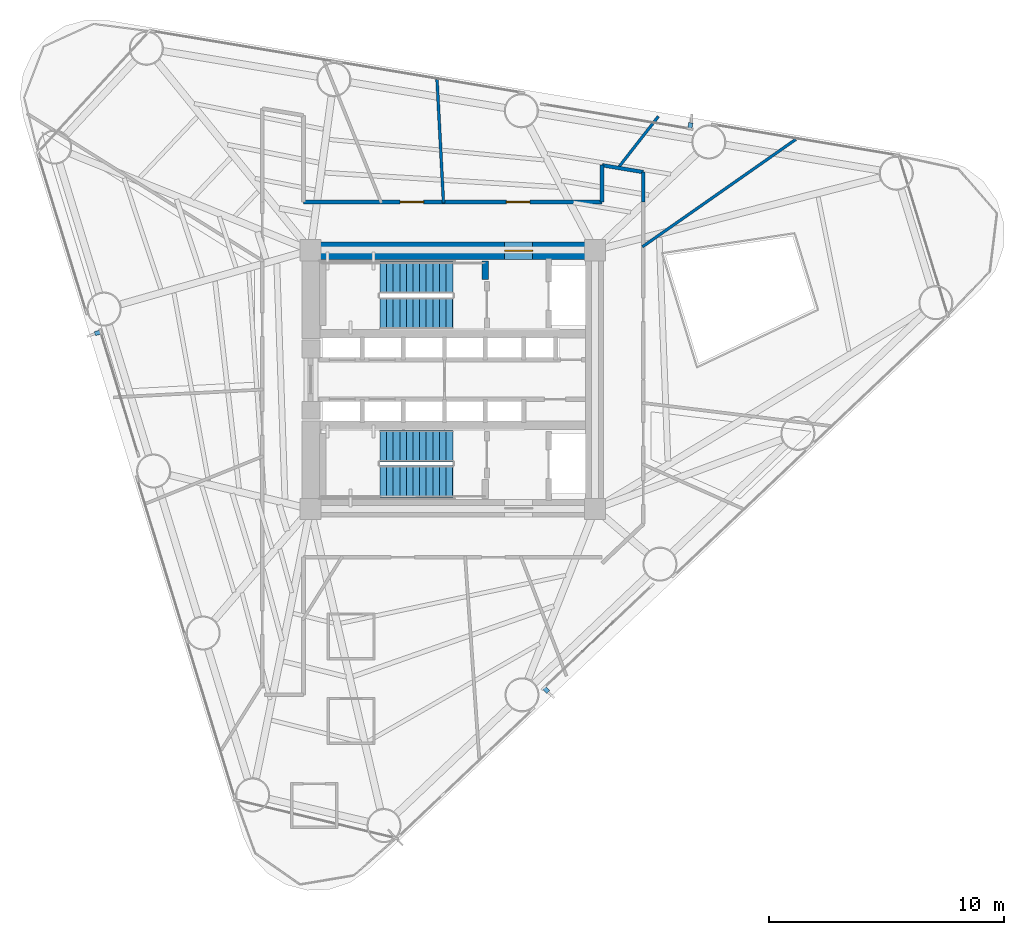
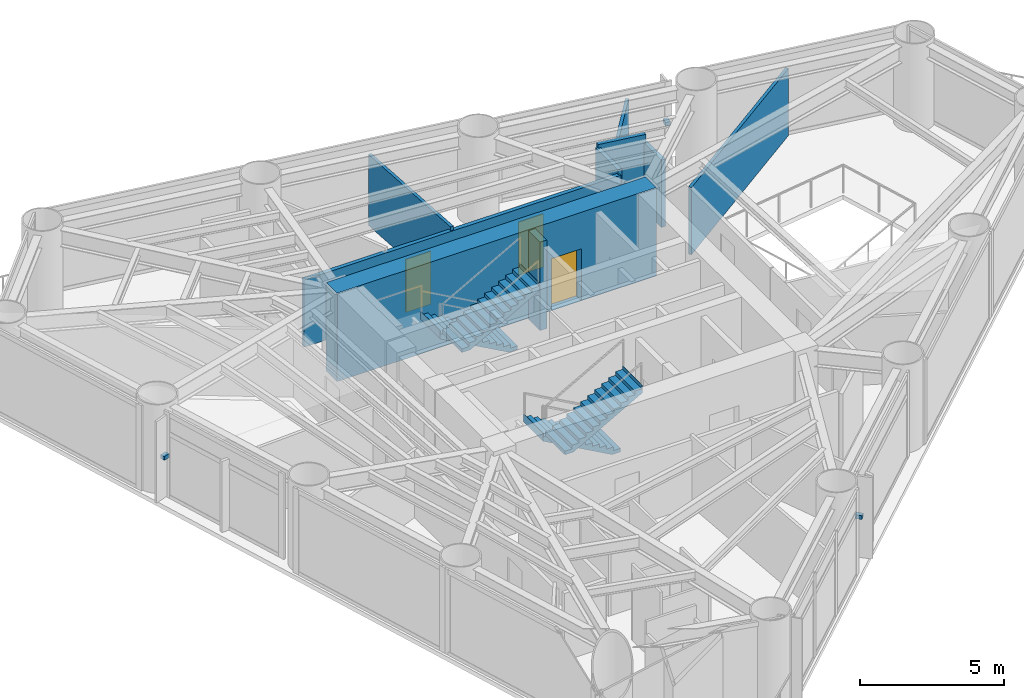
# One storey, part 7 of 10: 9 walls, 4 stair flights, 3 discrete accessories, 3 doors, 3 openings, 2 elements without a shape of their own.
"""IFC4 building model written with IfcOpenShell, lengths in metres."""

import ifcopenshell
import ifcopenshell.guid

model = None  # the IFC model being written
_history = None  # IfcOwnerHistory: only IFC2X3 demands one
_inside = {}  # id of a spatial element -> (the spatial element, [elements in it])
_under = {}  # id of a project, library or spatial element -> (it, [spatial elements below it])
_declared = {}  # id of a project -> (the project, [libraries it declares])
_typed = {}  # id of a type object -> (the type object, [elements of that type])
_made_of = {}  # id of a material, layer set ... -> (it, [elements and type objects made of it])


def new_model(schema):
    """Start an empty IFC model of exactly this schema.

    Asked for "IFC4X3", IfcOpenShell would pick the latest addendum, in which some entities
    have other attributes; the version numbers below select the first issue.
    IFC2X3 requires an IfcOwnerHistory on every rooted entity: one is made here for all.
    """
    global model, _history
    if schema == "IFC4X3":
        model = ifcopenshell.file(schema_version=(4, 3, 0, 0))
    else:
        model = ifcopenshell.file(schema=schema)
    _inside.clear()
    _under.clear()
    _declared.clear()
    _typed.clear()
    _made_of.clear()
    _history = None
    if model.schema == "IFC2X3":
        org = make("IfcOrganization", Name="unknown")
        user = make(
            "IfcPersonAndOrganization",
            ThePerson=make("IfcPerson", FamilyName="unknown"),
            TheOrganization=org,
        )
        app = make(
            "IfcApplication",
            ApplicationDeveloper=org,
            Version="unknown",
            ApplicationFullName="unknown",
            ApplicationIdentifier="unknown",
        )
        _history = make(
            "IfcOwnerHistory",
            OwningUser=user,
            OwningApplication=app,
            ChangeAction="ADDED",
            CreationDate=0,
        )
    return model


def make(cls, **values):
    """One entity of the class cls with the attributes given. An attribute that is None is left unset."""
    return model.create_entity(
        cls, **{name: value for name, value in values.items() if value is not None}
    )


def rooted(cls, **values):
    """An entity with a GlobalId (a new one), such as an element, a storey or a relation."""
    return make(cls, GlobalId=ifcopenshell.guid.new(), OwnerHistory=_history, **values)


def si_unit(unit_type, name, prefix=None):
    """IfcSIUnit, for example si_unit("LENGTHUNIT", "METRE", prefix="MILLI")."""
    return make("IfcSIUnit", UnitType=unit_type, Prefix=prefix, Name=name)


def assignment(units):
    """IfcUnitAssignment: the units of a project."""
    return None if units is None else make("IfcUnitAssignment", Units=units)


def point(xyz):
    """IfcCartesianPoint."""
    return None if xyz is None else make("IfcCartesianPoint", Coordinates=xyz)


def direction(xyz):
    """IfcDirection."""
    return None if xyz is None else make("IfcDirection", DirectionRatios=xyz)


def frame(location, z_axis=None, x_axis=None):
    """IfcAxis2Placement3D, a coordinate frame: its origin and axes. An axis left out is left unset."""
    return make(
        "IfcAxis2Placement3D",
        Location=point(location),
        Axis=direction(z_axis),
        RefDirection=direction(x_axis),
    )


def frame_2d(location, x_axis=None):
    """IfcAxis2Placement2D, a coordinate frame in the plane: its origin and x axis."""
    return make(
        "IfcAxis2Placement2D", Location=point(location), RefDirection=direction(x_axis)
    )


def origin():
    """The frame at (0, 0, 0) with its axes left unset."""
    return frame((0.0, 0.0, 0.0))


def origin_2d():
    """The frame at (0, 0) in the plane with its x axis left unset."""
    return frame_2d((0.0, 0.0))


def place(relative_to, where):
    """IfcLocalPlacement: puts the frame where relative to a parent placement (None: the world)."""
    return make(
        "IfcLocalPlacement", PlacementRelTo=relative_to, RelativePlacement=where
    )


def context(
    kind, dimensions, precision=None, world=None, true_north=None, identifier=None
):
    """IfcGeometricRepresentationContext, for example the 3D "Model" context."""
    return make(
        "IfcGeometricRepresentationContext",
        ContextIdentifier=identifier,
        ContextType=kind,
        CoordinateSpaceDimension=dimensions,
        Precision=precision,
        WorldCoordinateSystem=world,
        TrueNorth=true_north,
    )


def subcontext(parent, identifier, kind, view, scale=None):
    """IfcGeometricRepresentationSubContext, for example "Body" below "Model"."""
    return make(
        "IfcGeometricRepresentationSubContext",
        ContextIdentifier=identifier,
        ContextType=kind,
        ParentContext=parent,
        TargetScale=scale,
        TargetView=view,
    )


def project(units=None, contexts=None):
    """IfcProject with its units and contexts."""
    return rooted(
        "IfcProject",
        Name="project",
        RepresentationContexts=contexts,
        UnitsInContext=assignment(units),
    )


def spatial(cls, under=None, at=None, **own):
    """A site, building, storey or space (cls), placed at a placement, below another one or the project."""
    s = rooted(cls, ObjectPlacement=at, **own)
    if under is not None:
        _under.setdefault(under.id(), (under, []))[1].append(s)
    return s


def polyline(points):
    """IfcPolyline through the points."""
    return make("IfcPolyline", Points=[point(p) for p in points])


def profile(cls, at=None, kind="AREA", **sizes):
    """A parametric profile (cls). Its sizes go by their IFC names, for example OverallWidth=200.0."""
    return make(cls, ProfileType=kind, Position=at, **sizes)


def rectangle(**sizes):
    """IfcRectangleProfileDef."""
    return profile("IfcRectangleProfileDef", **sizes)


def outline(outer, holes=None, kind="AREA"):
    """IfcArbitraryClosedProfileDef: a profile drawn as a closed curve; with holes, ...WithVoids."""
    if holes is None:
        return make("IfcArbitraryClosedProfileDef", ProfileType=kind, OuterCurve=outer)
    return make(
        "IfcArbitraryProfileDefWithVoids",
        ProfileType=kind,
        OuterCurve=outer,
        InnerCurves=holes,
    )


def extrude(swept, where, along, depth):
    """IfcExtrudedAreaSolid: the profile swept, set in the frame where, extruded along a direction by depth."""
    return make(
        "IfcExtrudedAreaSolid",
        SweptArea=swept,
        Position=where,
        ExtrudedDirection=direction(along),
        Depth=depth,
    )


def shape(context_of_items, identifier, shape_type, items):
    """IfcShapeRepresentation: the items that make up one representation, for example the "Body"."""
    return make(
        "IfcShapeRepresentation",
        ContextOfItems=context_of_items,
        RepresentationIdentifier=identifier,
        RepresentationType=shape_type,
        Items=items,
    )


def source(mapping_origin, context_of_items, identifier, shape_type, items):
    """IfcRepresentationMap: a shape defined once, which mapped items show again and again."""
    return make(
        "IfcRepresentationMap",
        MappingOrigin=mapping_origin,
        MappedRepresentation=shape(context_of_items, identifier, shape_type, items),
    )


def transform(
    local_origin,
    x_axis=None,
    y_axis=None,
    z_axis=None,
    scale=None,
    scale2=None,
    scale3=None,
    uniform=True,
):
    """IfcCartesianTransformationOperator3D, or its non-uniform kind. x_axis, y_axis, z_axis: its Axis1, 2, 3."""
    if uniform:
        return make(
            "IfcCartesianTransformationOperator3D",
            Axis1=direction(x_axis),
            Axis2=direction(y_axis),
            LocalOrigin=point(local_origin),
            Scale=scale,
            Axis3=direction(z_axis),
        )
    return make(
        "IfcCartesianTransformationOperator3DnonUniform",
        Axis1=direction(x_axis),
        Axis2=direction(y_axis),
        LocalOrigin=point(local_origin),
        Scale=scale,
        Axis3=direction(z_axis),
        Scale2=scale2,
        Scale3=scale3,
    )


def mapped(mapping_source, mapping_target):
    """IfcMappedItem: shows the shape of a source again, moved by a transform."""
    return make(
        "IfcMappedItem", MappingSource=mapping_source, MappingTarget=mapping_target
    )


def material(Name=None, Category=None):
    """IfcMaterial."""
    return make("IfcMaterial", Name=Name, Category=Category)


def layer(
    of_material, thickness, ventilated=None, Name=None, Category=None, Priority=None
):
    """IfcMaterialLayer: one layer of a wall or slab, of a material (None: an air gap)."""
    return make(
        "IfcMaterialLayer",
        Material=of_material,
        LayerThickness=thickness,
        IsVentilated=ventilated,
        Name=Name,
        Category=Category,
        Priority=Priority,
    )


def layer_set(layers, Name=None):
    """IfcMaterialLayerSet."""
    return make("IfcMaterialLayerSet", MaterialLayers=layers, LayerSetName=Name)


def made_of(thing, what):
    """Note that an element or type object is made of a material, layer set ...; save() writes the relation."""
    if what is not None:
        _made_of.setdefault(what.id(), (what, []))[1].append(thing)
    return thing


def type_object(cls, material=None, **own):
    """A type object (cls), such as IfcWallType, which elements share."""
    return made_of(rooted(cls, **own), material)


def element(
    cls,
    number,
    at=None,
    inside=None,
    cuts=None,
    type_object=None,
    material=None,
    context=None,
    identifier="Body",
    shape_type=None,
    held_by="IfcProductDefinitionShape",
    body=None,
    shapes=None,
    **own,
):
    """One element of the class cls, such as IfcWall. Its Tag is "e" and its number.

    at: its placement. inside: the storey or other place that contains it. cuts: it is an
    opening in that element (IfcRelVoidsElement). A single representation is given by context,
    identifier, shape_type and body (its items); several are given by shapes. held_by: the class
    of the entity that holds the representations. save() writes the other relations.
    """
    e = rooted(cls, Tag="e%d" % number, ObjectPlacement=at, **own)
    if body is not None:
        shapes = [shape(context, identifier, shape_type, body)]
    if shapes is not None:
        e.Representation = make(held_by, Representations=shapes)
    if inside is not None:
        _inside.setdefault(inside.id(), (inside, []))[1].append(e)
    if cuts is not None:
        rooted(
            "IfcRelVoidsElement", RelatingBuildingElement=cuts, RelatedOpeningElement=e
        )
    if type_object is not None:
        _typed.setdefault(type_object.id(), (type_object, []))[1].append(e)
    return made_of(e, material)


def fill(opening, filler):
    """IfcRelFillsElement: the door or window that sits in an opening."""
    return rooted(
        "IfcRelFillsElement",
        RelatingOpeningElement=opening,
        RelatedBuildingElement=filler,
    )


def aggregate(whole, parts):
    """IfcRelAggregates: a whole, such as a stair, and the parts it consists of."""
    return rooted("IfcRelAggregates", RelatingObject=whole, RelatedObjects=parts)


def save(model, path):
    """Write the relations noted so far, then the file.

    IfcRelAggregates (storeys below a building ...), IfcRelContainedInSpatialStructure (elements
    in a storey), IfcRelDefinesByType, IfcRelAssociatesMaterial and IfcRelDeclares: one each for
    every whole, place, type object, material and project.
    """
    for whole, parts in _under.values():
        aggregate(whole, parts)
    for where, things in _inside.values():
        rooted(
            "IfcRelContainedInSpatialStructure",
            RelatedElements=things,
            RelatingStructure=where,
        )
    for kind, things in _typed.values():
        rooted("IfcRelDefinesByType", RelatedObjects=things, RelatingType=kind)
    for what, things in _made_of.values():
        rooted("IfcRelAssociatesMaterial", RelatedObjects=things, RelatingMaterial=what)
    for by, libraries in _declared.values():
        rooted("IfcRelDeclares", RelatingContext=by, RelatedDefinitions=libraries)
    model.write(path)


model = new_model("IFC4")

# Units and contexts
model_context = context("Model", 3, precision=1e-05, world=origin(), true_north=direction((0.0, 1.0)))
body_context = subcontext(model_context, "Body", "Model", "MODEL_VIEW")
ifc_project = project(units=[si_unit("LENGTHUNIT", "METRE"), si_unit("AREAUNIT", "SQUARE_METRE"), si_unit("VOLUMEUNIT", "CUBIC_METRE"), si_unit("PLANEANGLEUNIT", "RADIAN"), si_unit("MASSUNIT", "GRAM", prefix="KILO")], contexts=[model_context])

# Site, building, storey
site_placement = place(None, origin())
site = spatial("IfcSite", under=ifc_project, at=site_placement, CompositionType="ELEMENT")
building_placement = place(site_placement, origin())
building = spatial("IfcBuilding", under=site, at=building_placement, Name="Yunling Apex Tower", CompositionType="ELEMENT")
storey_placement = place(building_placement, frame((0.0, 0.0, 101.14990234375)))
storey = spatial("IfcBuildingStorey", under=building, at=storey_placement, Name="L25", CompositionType="ELEMENT", Elevation=101.14990234375)

# Wall, opening, door
ifc_material_1 = material(Name="Concrete C60", Category="concrete")
ifc_layer_1 = layer(ifc_material_1, 0.75)
ifc_layer_set_1 = layer_set([ifc_layer_1], Name="Concrete C60")
wall_type_1 = type_object("IfcWallType", Name="WL-COR-1", PredefinedType="SHEAR", material=ifc_layer_set_1)
wall_1_placement = place(storey_placement, frame((-6.39990234375, 5.47509765625, 0.0), z_axis=(0.0, 0.0, 1.0), x_axis=(1.0, 0.0, 0.0)))
wall_1 = element("IfcWall", 1, at=wall_1_placement, inside=storey, type_object=wall_type_1, Name="L25 North Core Shear Wall", PredefinedType="SHEAR", context=body_context, shape_type="SweptSolid", body=[
    extrude(rectangle(XDim=12.7998046875, YDim=0.75, at=frame_2d((6.39990234375, 0.0))), origin(), (0.0, 0.0, 1.0), 3.75),
])
opening_1_placement = place(wall_1_placement, frame((8.60009765625, 0.0, 0.0)))
opening_1 = element("IfcOpeningElement", 2, at=opening_1_placement, cuts=wall_1, Name="Opening DR-FFL-1", PredefinedType="OPENING", context=body_context, shape_type="SweptSolid", body=[
    extrude(rectangle(XDim=1.199951171875, YDim=2.199951171875, at=frame_2d((0.60009765625, 1.10009765625))), frame((0.0, 0.385009765625, 0.0), z_axis=(0.0, -1.0, 0.0), x_axis=(1.0, 0.0, 0.0)), (0.0, 0.0, 1.0), 0.77001953125),
])
ifc_material_2 = material(Name="Steel Q355B", Category="steel")
door_type_1 = type_object("IfcDoorType", Name="DR-FFL-1", OperationType="NOTDEFINED", PredefinedType="DOOR", material=ifc_material_2)
door_1_placement = place(opening_1_placement, origin())
door_1 = element("IfcDoor", 3, at=door_1_placement, inside=storey, type_object=door_type_1, Name="L25 North Firefighting Lobby Door", OperationType="SINGLE_SWING_LEFT", OverallHeight=2.199951171875, OverallWidth=1.199951171875, PredefinedType="DOOR", context=body_context, shape_type="SweptSolid", body=[
    extrude(rectangle(XDim=1.199951171875, YDim=2.199951171875, at=frame_2d((0.60009765625, 1.10009765625))), frame((0.0, 0.02490234375, 0.0), z_axis=(0.0, -1.0, 0.0), x_axis=(1.0, 0.0, 0.0)), (0.0, 0.0, 1.0), 0.050048828125),
])
fill(opening_1, door_1)

# Wall
ifc_material_3 = material(Name="Concrete C40", Category="concrete")
ifc_layer_2 = layer(ifc_material_3, 0.280029296875)
ifc_layer_set_2 = layer_set([ifc_layer_2], Name="Concrete C40")
wall_type_2 = type_object("IfcWallType", Name="WL-COR-8", PredefinedType="SHEAR", material=ifc_layer_set_2)
wall_2_placement = place(storey_placement, frame((1.3798828125, 4.25, 0.0), z_axis=(0.0, 0.0, 1.0), x_axis=(0.0, 1.0, 0.0)))
element("IfcWall", 4, at=wall_2_placement, inside=storey, type_object=wall_type_2, Name="L25 ST-1 East Landing Bearing Pier", PredefinedType="SHEAR", context=body_context, shape_type="SweptSolid", body=[
    extrude(rectangle(XDim=0.800048828125, YDim=0.280029296875, at=frame_2d((0.39990234375, 0.0))), origin(), (0.0, 0.0, 1.0), 3.75),
])

# Wall, openings, doors
ifc_material_4 = material(Name="Gypsum board acoustic partition")
ifc_layer_3 = layer(ifc_material_4, 0.159912109375)
ifc_layer_set_3 = layer_set([ifc_layer_3], Name="Gypsum board acoustic partition")
wall_type_3 = type_object("IfcWallType", Name="WL-PRT-1", PredefinedType="PARTITIONING", material=ifc_layer_set_3)
wall_3_placement = place(storey_placement, frame((-6.35009765625, 7.550048828125, 0.0), z_axis=(0.0, 0.0, 1.0), x_axis=(1.0, 0.0, 0.0)))
wall_3 = element("IfcWall", 5, at=wall_3_placement, inside=storey, type_object=wall_type_3, Name="WL-CORR-L25-07", PredefinedType="PARTITIONING", context=body_context, shape_type="SweptSolid", body=[
    extrude(rectangle(XDim=12.7001953125, YDim=0.159912109375, at=frame_2d((6.35009765625, 0.0))), origin(), (0.0, 0.0, 1.0), 2.85009765625),
])
opening_2_placement = place(wall_3_placement, frame((4.111083984375, 0.0, 0.0)))
opening_2 = element("IfcOpeningElement", 6, at=opening_2_placement, cuts=wall_3, Name="Opening DR-OFF-1", PredefinedType="OPENING", context=body_context, shape_type="SweptSolid", body=[
    extrude(rectangle(XDim=1.0, YDim=2.25, at=frame_2d((0.5, 1.125))), frame((0.0, 0.08984375, 0.0), z_axis=(0.0, -1.0, 0.0), x_axis=(1.0, 0.0, 0.0)), (0.0, 0.0, 1.0), 0.179931640625),
])
opening_3_placement = place(wall_3_placement, frame((8.63232421875, 0.0, 0.0)))
opening_3 = element("IfcOpeningElement", 7, at=opening_3_placement, cuts=wall_3, Name="Opening DR-OFF-1", PredefinedType="OPENING", context=body_context, shape_type="SweptSolid", body=[
    extrude(rectangle(XDim=1.0, YDim=2.25, at=frame_2d((0.5, 1.125))), frame((0.0, 0.08984375, 0.0), z_axis=(0.0, -1.0, 0.0), x_axis=(1.0, 0.0, 0.0)), (0.0, 0.0, 1.0), 0.179931640625),
])
ifc_material_5 = material(Name="Bronze anodised aluminium", Category="aluminium")
door_type_2 = type_object("IfcDoorType", Name="DR-OFF-1", OperationType="NOTDEFINED", PredefinedType="DOOR", material=ifc_material_5)
door_2_placement = place(opening_2_placement, origin())
door_2 = element("IfcDoor", 8, at=door_2_placement, inside=storey, type_object=door_type_2, Name="L25 Business Reading Lounge Door", OperationType="SINGLE_SWING_LEFT", OverallHeight=2.25, OverallWidth=1.0, PredefinedType="DOOR", context=body_context, shape_type="SweptSolid", body=[
    extrude(rectangle(XDim=1.0, YDim=2.25, at=frame_2d((0.5, 1.125))), frame((0.0, 0.02490234375, 0.0), z_axis=(0.0, -1.0, 0.0), x_axis=(1.0, 0.0, 0.0)), (0.0, 0.0, 1.0), 0.050048828125),
])
fill(opening_2, door_2)
door_3_placement = place(opening_3_placement, origin())
door_3 = element("IfcDoor", 9, at=door_3_placement, inside=storey, type_object=door_type_2, Name="L25 Business Reading Lounge Door", OperationType="SINGLE_SWING_RIGHT", OverallHeight=2.25, OverallWidth=1.0, PredefinedType="DOOR", context=body_context, shape_type="SweptSolid", body=[
    extrude(rectangle(XDim=1.0, YDim=2.25, at=frame_2d((0.5, 1.125))), frame((0.0, 0.02490234375, 0.0), z_axis=(0.0, -1.0, 0.0), x_axis=(1.0, 0.0, 0.0)), (0.0, 0.0, 1.0), 0.050048828125),
])
fill(opening_3, door_3)

# Walls
wall_4_placement = place(storey_placement, frame((6.35009765625, 7.550048828125, 0.0), z_axis=(0.0, 0.0, 1.0), x_axis=(0.0, 1.0, 0.0)))
element("IfcWall", 10, at=wall_4_placement, inside=storey, type_object=wall_type_3, Name="WL-CORR-L25-08", PredefinedType="PARTITIONING", context=body_context, shape_type="SweptSolid", body=[
    extrude(rectangle(XDim=1.56298828125, YDim=0.159912109375, at=frame_2d((0.781494140625, 0.0))), origin(), (0.0, 0.0, 1.0), 3.050048828125),
])
wall_5_placement = place(storey_placement, frame((6.35009765625, 9.113037109375, 0.0), z_axis=(0.0, 0.0, 1.0), x_axis=(0.986386484459, -0.164443617317, 0.0)))
element("IfcWall", 11, at=wall_5_placement, inside=storey, type_object=wall_type_3, Name="WL-CORR-L25-09", PredefinedType="PARTITIONING", context=body_context, shape_type="SweptSolid", body=[
    extrude(rectangle(XDim=1.774169921875, YDim=0.159912109375, at=frame_2d((0.88720703125, 0.0))), origin(), (0.0, 0.0, 1.0), 3.2001953125),
])
wall_6_placement = place(storey_placement, frame((8.10009765625, 8.8212890625, 0.0), z_axis=(0.0, 0.0, 1.0), x_axis=(0.0, -1.0, 0.0)))
element("IfcWall", 12, at=wall_6_placement, inside=storey, type_object=wall_type_3, Name="WL-CORR-L25-10", PredefinedType="PARTITIONING", context=body_context, shape_type="SweptSolid", body=[
    extrude(rectangle(XDim=1.271240234375, YDim=0.159912109375, at=frame_2d((0.6357421875, 0.0))), origin(), (0.0, 0.0, 1.0), 2.85009765625),
])
ifc_layer_4 = layer(ifc_material_4, 0.1201171875)
ifc_layer_set_4 = layer_set([ifc_layer_4], Name="Gypsum board acoustic partition")
wall_type_4 = type_object("IfcWallType", Name="WL-PRT-3", PredefinedType="PARTITIONING", material=ifc_layer_set_4)
wall_7_placement = place(storey_placement, frame((8.06005859375, 5.643798828125, 0.0), z_axis=(0.0, 0.0, 1.0), x_axis=(0.819162822725, 0.573561042841, 0.0)))
element("IfcWall", 13, at=wall_7_placement, inside=storey, type_object=wall_type_4, Name="WL-RAD-L25-09", PredefinedType="PARTITIONING", context=body_context, shape_type="SweptSolid", body=[
    extrude(rectangle(XDim=7.96826171875, YDim=0.1201171875, at=frame_2d((3.984130859375, 0.0))), origin(), (0.0, 0.0, 1.0), 2.85009765625),
])
wall_8_placement = place(storey_placement, frame((7.003173828125, 8.963623046875, 0.0), z_axis=(0.0, 0.0, 1.0), x_axis=(0.615657467661, 0.788013884721, 0.0)))
element("IfcWall", 14, at=wall_8_placement, inside=storey, type_object=wall_type_4, Name="WL-RAD-L25-10", PredefinedType="PARTITIONING", context=body_context, shape_type="SweptSolid", body=[
    extrude(rectangle(XDim=2.822998046875, YDim=0.1201171875, at=frame_2d((1.41162109375, 0.0))), origin(), (0.0, 0.0, 1.0), 3.010009765625),
])
wall_9_placement = place(storey_placement, frame((-0.3935546875, 7.510009765625, 0.0), z_axis=(0.0, 0.0, 1.0), x_axis=(-0.052329543677, 0.998629870802, 0.0)))
element("IfcWall", 15, at=wall_9_placement, inside=storey, type_object=wall_type_4, Name="WL-RAD-L25-11", PredefinedType="PARTITIONING", context=body_context, shape_type="SweptSolid", body=[
    extrude(rectangle(XDim=5.253173828125, YDim=0.1201171875, at=frame_2d((2.62646484375, 0.0))), origin(), (0.0, 0.0, 1.0), 3.010009765625),
])

# Stair, stair flights
stair_type = type_object("IfcStairType", Name="ST-TWR-1", PredefinedType="HALF_TURN_STAIR", material=ifc_material_3)
stair_1_placement = place(storey_placement, origin())
stair_1 = element("IfcStair", 16, at=stair_1_placement, inside=storey, type_object=stair_type, Name="L25 North Core Smokeproof Exit Stair ST-1", PredefinedType="HALF_TURN_STAIR")
stair_flight_type = type_object("IfcStairFlightType", Name="SFL-TWR-1", PredefinedType="STRAIGHT", material=ifc_material_3)
stair_flight_1_placement = place(storey_placement, frame((-0.010009765625, 4.330078125, 0.0), z_axis=(0.0, 0.0, 1.0), x_axis=(-1.0, 0.0, 0.0)))
stair_flight_1 = element("IfcStairFlight", 17, at=stair_flight_1_placement, type_object=stair_flight_type, Name="ST-1 flight 1", NumberOfRisers=12, NumberOfTreads=11, PredefinedType="STRAIGHT", RiserHeight=0.15625, TreadLength=0.28, context=body_context, shape_type="SweptSolid", body=[
    extrude(outline(polyline([(-0.011962890625, 0.0), (-0.011962890625, 0.15625), (0.0, 0.15625), (0.280029296875, 0.15625), (0.280029296875, 0.3125), (0.56005859375, 0.3125), (0.56005859375, 0.46875), (0.840087890625, 0.46875), (0.840087890625, 0.625), (1.1201171875, 0.625), (1.1201171875, 0.78125), (1.39990234375, 0.78125), (1.39990234375, 0.9375), (1.679931640625, 0.9375), (1.679931640625, 1.09375), (1.9599609375, 1.09375), (1.9599609375, 1.25), (2.239990234375, 1.25), (2.239990234375, 1.40625), (2.52001953125, 1.40625), (2.52001953125, 1.5625), (2.800048828125, 1.5625), (2.800048828125, 1.71875), (3.080078125, 1.71875), (3.080078125, 1.875), (3.092041015625, 1.875), (3.092041015625, 1.53564453125), (0.328125, 0.0), (-0.011962890625, 0.0)])), frame((0.0, 0.68017578125, 0.0), z_axis=(0.0, -1.0, 0.0), x_axis=(1.0, 0.0, 0.0)), (0.0, 0.0, 1.0), 1.360107421875),
])
stair_flight_2_placement = place(storey_placement, frame((-3.090087890625, 2.820068359375, 1.875), z_axis=(0.0, 0.0, 1.0), x_axis=(1.0, 0.0, 0.0)))
stair_flight_2 = element("IfcStairFlight", 18, at=stair_flight_2_placement, type_object=stair_flight_type, Name="ST-1 flight 2", NumberOfRisers=12, NumberOfTreads=11, PredefinedType="STRAIGHT", RiserHeight=0.15625, TreadLength=0.28, context=body_context, shape_type="SweptSolid", body=[
    extrude(outline(polyline([(-0.011962890625, 0.0), (-0.011962890625, 0.15625), (0.0, 0.15625), (0.280029296875, 0.15625), (0.280029296875, 0.3125), (0.56005859375, 0.3125), (0.56005859375, 0.46875), (0.840087890625, 0.46875), (0.840087890625, 0.625), (1.1201171875, 0.625), (1.1201171875, 0.78125), (1.39990234375, 0.78125), (1.39990234375, 0.9375), (1.679931640625, 0.9375), (1.679931640625, 1.09375), (1.9599609375, 1.09375), (1.9599609375, 1.25), (2.239990234375, 1.25), (2.239990234375, 1.40625), (2.52001953125, 1.40625), (2.52001953125, 1.5625), (2.800048828125, 1.5625), (2.800048828125, 1.71875), (3.080078125, 1.71875), (3.080078125, 1.875), (3.092041015625, 1.875), (3.092041015625, 1.53564453125), (0.328125, 0.0), (-0.011962890625, 0.0)])), frame((0.0, 0.68017578125, 0.0), z_axis=(0.0, -1.0, 0.0), x_axis=(1.0, 0.0, 0.0)), (0.0, 0.0, 1.0), 1.360107421875),
])
aggregate(stair_1, [stair_flight_1, stair_flight_2])

stair_2_placement = place(storey_placement, origin())
stair_2 = element("IfcStair", 19, at=stair_2_placement, inside=storey, type_object=stair_type, Name="L25 South Core Smokeproof Exit Stair ST-2", PredefinedType="HALF_TURN_STAIR")
stair_flight_3_placement = place(storey_placement, frame((-0.010009765625, -2.820068359375, 0.0), z_axis=(0.0, 0.0, 1.0), x_axis=(-1.0, 0.0, 0.0)))
stair_flight_3 = element("IfcStairFlight", 20, at=stair_flight_3_placement, type_object=stair_flight_type, Name="ST-2 flight 1", NumberOfRisers=12, NumberOfTreads=11, PredefinedType="STRAIGHT", RiserHeight=0.15625, TreadLength=0.28, context=body_context, shape_type="SweptSolid", body=[
    extrude(outline(polyline([(-0.011962890625, 0.0), (-0.011962890625, 0.15625), (0.0, 0.15625), (0.280029296875, 0.15625), (0.280029296875, 0.3125), (0.56005859375, 0.3125), (0.56005859375, 0.46875), (0.840087890625, 0.46875), (0.840087890625, 0.625), (1.1201171875, 0.625), (1.1201171875, 0.78125), (1.39990234375, 0.78125), (1.39990234375, 0.9375), (1.679931640625, 0.9375), (1.679931640625, 1.09375), (1.9599609375, 1.09375), (1.9599609375, 1.25), (2.239990234375, 1.25), (2.239990234375, 1.40625), (2.52001953125, 1.40625), (2.52001953125, 1.5625), (2.800048828125, 1.5625), (2.800048828125, 1.71875), (3.080078125, 1.71875), (3.080078125, 1.875), (3.092041015625, 1.875), (3.092041015625, 1.53564453125), (0.328125, 0.0), (-0.011962890625, 0.0)])), frame((0.0, 0.68017578125, 0.0), z_axis=(0.0, -1.0, 0.0), x_axis=(1.0, 0.0, 0.0)), (0.0, 0.0, 1.0), 1.360107421875),
])
stair_flight_4_placement = place(storey_placement, frame((-3.090087890625, -4.330078125, 1.875), z_axis=(0.0, 0.0, 1.0), x_axis=(1.0, 0.0, 0.0)))
stair_flight_4 = element("IfcStairFlight", 21, at=stair_flight_4_placement, type_object=stair_flight_type, Name="ST-2 flight 2", NumberOfRisers=12, NumberOfTreads=11, PredefinedType="STRAIGHT", RiserHeight=0.15625, TreadLength=0.28, context=body_context, shape_type="SweptSolid", body=[
    extrude(outline(polyline([(-0.011962890625, 0.0), (-0.011962890625, 0.15625), (0.0, 0.15625), (0.280029296875, 0.15625), (0.280029296875, 0.3125), (0.56005859375, 0.3125), (0.56005859375, 0.46875), (0.840087890625, 0.46875), (0.840087890625, 0.625), (1.1201171875, 0.625), (1.1201171875, 0.78125), (1.39990234375, 0.78125), (1.39990234375, 0.9375), (1.679931640625, 0.9375), (1.679931640625, 1.09375), (1.9599609375, 1.09375), (1.9599609375, 1.25), (2.239990234375, 1.25), (2.239990234375, 1.40625), (2.52001953125, 1.40625), (2.52001953125, 1.5625), (2.800048828125, 1.5625), (2.800048828125, 1.71875), (3.080078125, 1.71875), (3.080078125, 1.875), (3.092041015625, 1.875), (3.092041015625, 1.53564453125), (0.328125, 0.0), (-0.011962890625, 0.0)])), frame((0.0, 0.68017578125, 0.0), z_axis=(0.0, -1.0, 0.0), x_axis=(1.0, 0.0, 0.0)), (0.0, 0.0, 1.0), 1.360107421875),
])
aggregate(stair_2, [stair_flight_3, stair_flight_4])

# Discrete accessories
discrete_accessory_type = type_object("IfcDiscreteAccessoryType", Name="BK-FIN-1", PredefinedType="BRACKET", material=ifc_material_2)
shared_shape = source(origin(), body_context, "Body", "SweptSolid", [
    extrude(rectangle(XDim=0.179931640625, YDim=0.260009765625, at=origin_2d()), origin(), (0.0, 0.0, 1.0), 0.159912109375),
])
for number, where, z_axis, x_axis, name in (
    (22, (3.9658203125, -13.191162109375, 1.70263671875), (0.0, 0.0, 1.0), (0.725854756355, 0.687848001144, 0.0), "CW-L25-F1-B2-BRK-01-1"),
    (23, (10.10009765625, 10.789306640625, 1.70263671875), (0.0, 0.0, 1.0), (-0.986400586142, 0.164359008451, 0.0), "CW-L25-F2-B2-BRK-01-1"),
    (24, (-15.0888671875, 1.988037109375, 1.70263671875), (0.0, 0.0, 1.0), (0.292371704723, -0.956304755963, 0.0), "CW-L25-F3-B2-BRK-01-1"),
):
    element("IfcDiscreteAccessory", number, at=place(storey_placement, frame(where, z_axis=z_axis, x_axis=x_axis)), inside=storey, type_object=discrete_accessory_type, Name=name, PredefinedType="BRACKET", context=body_context, shape_type="MappedRepresentation", body=[
        mapped(shared_shape, transform((0.0, 0.0, 0.0), scale=1.0)),
    ])

save(model, "model.ifc")
